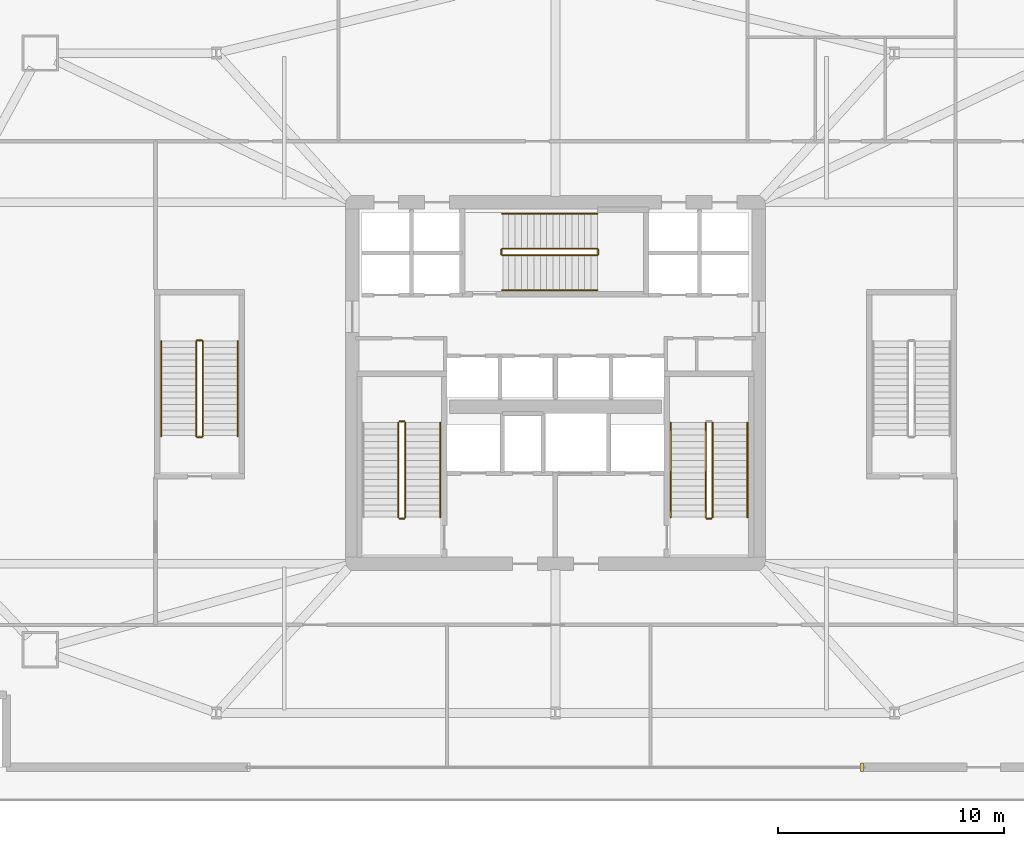
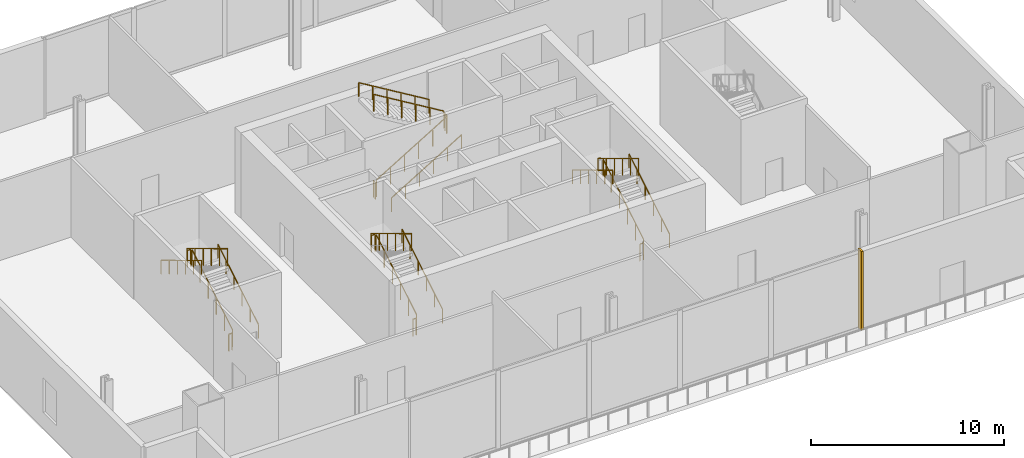
# One storey, part 14 of 16: 22 railings, 1 covering.
"""IFC4 building model written with IfcOpenShell, lengths in metres."""

import ifcopenshell
import ifcopenshell.guid

model = None  # the IFC model being written
_history = None  # IfcOwnerHistory: only IFC2X3 demands one
_inside = {}  # id of a spatial element -> (the spatial element, [elements in it])
_under = {}  # id of a project, library or spatial element -> (it, [spatial elements below it])
_declared = {}  # id of a project -> (the project, [libraries it declares])
_typed = {}  # id of a type object -> (the type object, [elements of that type])
_made_of = {}  # id of a material, layer set ... -> (it, [elements and type objects made of it])


def new_model(schema):
    """Start an empty IFC model of exactly this schema.

    Asked for "IFC4X3", IfcOpenShell would pick the latest addendum, in which some entities
    have other attributes; the version numbers below select the first issue.
    IFC2X3 requires an IfcOwnerHistory on every rooted entity: one is made here for all.
    """
    global model, _history
    if schema == "IFC4X3":
        model = ifcopenshell.file(schema_version=(4, 3, 0, 0))
    else:
        model = ifcopenshell.file(schema=schema)
    _inside.clear()
    _under.clear()
    _declared.clear()
    _typed.clear()
    _made_of.clear()
    _history = None
    if model.schema == "IFC2X3":
        org = make("IfcOrganization", Name="unknown")
        user = make(
            "IfcPersonAndOrganization",
            ThePerson=make("IfcPerson", FamilyName="unknown"),
            TheOrganization=org,
        )
        app = make(
            "IfcApplication",
            ApplicationDeveloper=org,
            Version="unknown",
            ApplicationFullName="unknown",
            ApplicationIdentifier="unknown",
        )
        _history = make(
            "IfcOwnerHistory",
            OwningUser=user,
            OwningApplication=app,
            ChangeAction="ADDED",
            CreationDate=0,
        )
    return model


def make(cls, **values):
    """One entity of the class cls with the attributes given. An attribute that is None is left unset."""
    return model.create_entity(
        cls, **{name: value for name, value in values.items() if value is not None}
    )


def rooted(cls, **values):
    """An entity with a GlobalId (a new one), such as an element, a storey or a relation."""
    return make(cls, GlobalId=ifcopenshell.guid.new(), OwnerHistory=_history, **values)


def si_unit(unit_type, name, prefix=None):
    """IfcSIUnit, for example si_unit("LENGTHUNIT", "METRE", prefix="MILLI")."""
    return make("IfcSIUnit", UnitType=unit_type, Prefix=prefix, Name=name)


def assignment(units):
    """IfcUnitAssignment: the units of a project."""
    return None if units is None else make("IfcUnitAssignment", Units=units)


def point(xyz):
    """IfcCartesianPoint."""
    return None if xyz is None else make("IfcCartesianPoint", Coordinates=xyz)


def direction(xyz):
    """IfcDirection."""
    return None if xyz is None else make("IfcDirection", DirectionRatios=xyz)


def frame(location, z_axis=None, x_axis=None):
    """IfcAxis2Placement3D, a coordinate frame: its origin and axes. An axis left out is left unset."""
    return make(
        "IfcAxis2Placement3D",
        Location=point(location),
        Axis=direction(z_axis),
        RefDirection=direction(x_axis),
    )


def frame_2d(location, x_axis=None):
    """IfcAxis2Placement2D, a coordinate frame in the plane: its origin and x axis."""
    return make(
        "IfcAxis2Placement2D", Location=point(location), RefDirection=direction(x_axis)
    )


def origin():
    """The frame at (0, 0, 0) with its axes left unset."""
    return frame((0.0, 0.0, 0.0))


def origin_2d():
    """The frame at (0, 0) in the plane with its x axis left unset."""
    return frame_2d((0.0, 0.0))


def place(relative_to, where):
    """IfcLocalPlacement: puts the frame where relative to a parent placement (None: the world)."""
    return make(
        "IfcLocalPlacement", PlacementRelTo=relative_to, RelativePlacement=where
    )


def context(
    kind, dimensions, precision=None, world=None, true_north=None, identifier=None
):
    """IfcGeometricRepresentationContext, for example the 3D "Model" context."""
    return make(
        "IfcGeometricRepresentationContext",
        ContextIdentifier=identifier,
        ContextType=kind,
        CoordinateSpaceDimension=dimensions,
        Precision=precision,
        WorldCoordinateSystem=world,
        TrueNorth=true_north,
    )


def subcontext(parent, identifier, kind, view, scale=None):
    """IfcGeometricRepresentationSubContext, for example "Body" below "Model"."""
    return make(
        "IfcGeometricRepresentationSubContext",
        ContextIdentifier=identifier,
        ContextType=kind,
        ParentContext=parent,
        TargetScale=scale,
        TargetView=view,
    )


def project(units=None, contexts=None):
    """IfcProject with its units and contexts."""
    return rooted(
        "IfcProject",
        Name="project",
        RepresentationContexts=contexts,
        UnitsInContext=assignment(units),
    )


def spatial(cls, under=None, at=None, **own):
    """A site, building, storey or space (cls), placed at a placement, below another one or the project."""
    s = rooted(cls, ObjectPlacement=at, **own)
    if under is not None:
        _under.setdefault(under.id(), (under, []))[1].append(s)
    return s


def profile(cls, at=None, kind="AREA", **sizes):
    """A parametric profile (cls). Its sizes go by their IFC names, for example OverallWidth=200.0."""
    return make(cls, ProfileType=kind, Position=at, **sizes)


def rectangle(**sizes):
    """IfcRectangleProfileDef."""
    return profile("IfcRectangleProfileDef", **sizes)


def extrude(swept, where, along, depth):
    """IfcExtrudedAreaSolid: the profile swept, set in the frame where, extruded along a direction by depth."""
    return make(
        "IfcExtrudedAreaSolid",
        SweptArea=swept,
        Position=where,
        ExtrudedDirection=direction(along),
        Depth=depth,
    )


def shape(context_of_items, identifier, shape_type, items):
    """IfcShapeRepresentation: the items that make up one representation, for example the "Body"."""
    return make(
        "IfcShapeRepresentation",
        ContextOfItems=context_of_items,
        RepresentationIdentifier=identifier,
        RepresentationType=shape_type,
        Items=items,
    )


def source(mapping_origin, context_of_items, identifier, shape_type, items):
    """IfcRepresentationMap: a shape defined once, which mapped items show again and again."""
    return make(
        "IfcRepresentationMap",
        MappingOrigin=mapping_origin,
        MappedRepresentation=shape(context_of_items, identifier, shape_type, items),
    )


def transform(
    local_origin,
    x_axis=None,
    y_axis=None,
    z_axis=None,
    scale=None,
    scale2=None,
    scale3=None,
    uniform=True,
):
    """IfcCartesianTransformationOperator3D, or its non-uniform kind. x_axis, y_axis, z_axis: its Axis1, 2, 3."""
    if uniform:
        return make(
            "IfcCartesianTransformationOperator3D",
            Axis1=direction(x_axis),
            Axis2=direction(y_axis),
            LocalOrigin=point(local_origin),
            Scale=scale,
            Axis3=direction(z_axis),
        )
    return make(
        "IfcCartesianTransformationOperator3DnonUniform",
        Axis1=direction(x_axis),
        Axis2=direction(y_axis),
        LocalOrigin=point(local_origin),
        Scale=scale,
        Axis3=direction(z_axis),
        Scale2=scale2,
        Scale3=scale3,
    )


def mapped(mapping_source, mapping_target):
    """IfcMappedItem: shows the shape of a source again, moved by a transform."""
    return make(
        "IfcMappedItem", MappingSource=mapping_source, MappingTarget=mapping_target
    )


def material(Name=None, Category=None):
    """IfcMaterial."""
    return make("IfcMaterial", Name=Name, Category=Category)


def layer(
    of_material, thickness, ventilated=None, Name=None, Category=None, Priority=None
):
    """IfcMaterialLayer: one layer of a wall or slab, of a material (None: an air gap)."""
    return make(
        "IfcMaterialLayer",
        Material=of_material,
        LayerThickness=thickness,
        IsVentilated=ventilated,
        Name=Name,
        Category=Category,
        Priority=Priority,
    )


def layer_set(layers, Name=None):
    """IfcMaterialLayerSet."""
    return make("IfcMaterialLayerSet", MaterialLayers=layers, LayerSetName=Name)


def made_of(thing, what):
    """Note that an element or type object is made of a material, layer set ...; save() writes the relation."""
    if what is not None:
        _made_of.setdefault(what.id(), (what, []))[1].append(thing)
    return thing


def type_object(cls, material=None, **own):
    """A type object (cls), such as IfcWallType, which elements share."""
    return made_of(rooted(cls, **own), material)


def element(
    cls,
    number,
    at=None,
    inside=None,
    cuts=None,
    type_object=None,
    material=None,
    context=None,
    identifier="Body",
    shape_type=None,
    held_by="IfcProductDefinitionShape",
    body=None,
    shapes=None,
    **own,
):
    """One element of the class cls, such as IfcWall. Its Tag is "e" and its number.

    at: its placement. inside: the storey or other place that contains it. cuts: it is an
    opening in that element (IfcRelVoidsElement). A single representation is given by context,
    identifier, shape_type and body (its items); several are given by shapes. held_by: the class
    of the entity that holds the representations. save() writes the other relations.
    """
    e = rooted(cls, Tag="e%d" % number, ObjectPlacement=at, **own)
    if body is not None:
        shapes = [shape(context, identifier, shape_type, body)]
    if shapes is not None:
        e.Representation = make(held_by, Representations=shapes)
    if inside is not None:
        _inside.setdefault(inside.id(), (inside, []))[1].append(e)
    if cuts is not None:
        rooted(
            "IfcRelVoidsElement", RelatingBuildingElement=cuts, RelatedOpeningElement=e
        )
    if type_object is not None:
        _typed.setdefault(type_object.id(), (type_object, []))[1].append(e)
    return made_of(e, material)


def aggregate(whole, parts):
    """IfcRelAggregates: a whole, such as a stair, and the parts it consists of."""
    return rooted("IfcRelAggregates", RelatingObject=whole, RelatedObjects=parts)


def save(model, path):
    """Write the relations noted so far, then the file.

    IfcRelAggregates (storeys below a building ...), IfcRelContainedInSpatialStructure (elements
    in a storey), IfcRelDefinesByType, IfcRelAssociatesMaterial and IfcRelDeclares: one each for
    every whole, place, type object, material and project.
    """
    for whole, parts in _under.values():
        aggregate(whole, parts)
    for where, things in _inside.values():
        rooted(
            "IfcRelContainedInSpatialStructure",
            RelatedElements=things,
            RelatingStructure=where,
        )
    for kind, things in _typed.values():
        rooted("IfcRelDefinesByType", RelatedObjects=things, RelatingType=kind)
    for what, things in _made_of.values():
        rooted("IfcRelAssociatesMaterial", RelatedObjects=things, RelatingMaterial=what)
    for by, libraries in _declared.values():
        rooted("IfcRelDeclares", RelatingContext=by, RelatedDefinitions=libraries)
    model.write(path)


model = new_model("IFC4")

# Units and contexts
model_context = context("Model", 3, precision=1e-05, world=origin(), true_north=direction((0.0, 1.0)))
body_context = subcontext(model_context, "Body", "Model", "MODEL_VIEW")
ifc_project = project(units=[si_unit("LENGTHUNIT", "METRE"), si_unit("AREAUNIT", "SQUARE_METRE"), si_unit("VOLUMEUNIT", "CUBIC_METRE"), si_unit("PLANEANGLEUNIT", "RADIAN"), si_unit("MASSUNIT", "GRAM", prefix="KILO")], contexts=[model_context])

# Site, building, storey
site_placement = place(None, origin())
site = spatial("IfcSite", under=ifc_project, at=site_placement, CompositionType="ELEMENT")
building_placement = place(site_placement, origin())
building = spatial("IfcBuilding", under=site, at=building_placement, Name="Haldenkirk Collegiate Tower", CompositionType="ELEMENT")
storey_placement = place(building_placement, frame((0.0, 0.0, 16.800048828125)))
storey = spatial("IfcBuildingStorey", under=building, at=storey_placement, Name="L03", CompositionType="ELEMENT", Elevation=16.800048828125)

# Railings
ifc_material_1 = material(Name="Painted architectural tubular steel", Category="steel")
railing_type_1 = type_object("IfcRailingType", Name="RLG-STAIR-GUARD-1100", PredefinedType="BALUSTRADE", material=ifc_material_1)
railing_1_placement = place(storey_placement, frame((29.35009765625, 20.050048828125, 0.168701171875)))
element("IfcRailing", 1, at=railing_1_placement, inside=storey, type_object=railing_type_1, Name="L03 ST-1 stair guard 1", PredefinedType="BALUSTRADE", context=body_context, shape_type="SweptSolid", body=[
    extrude(rectangle(XDim=0.048095703125, YDim=0.048095703125, at=origin_2d()), frame((0.0, 0.0, 1.076171875), z_axis=(0.0, 0.856476492594, 0.516186030065), x_axis=(-1.0, 0.0, 0.0)), (0.0, 0.0, 1.0), 4.90380859375),
    extrude(rectangle(XDim=0.0419921875, YDim=0.0419921875, at=origin_2d()), origin(), (0.0, 0.0, 1.0), 1.052001953125),
    extrude(rectangle(XDim=0.0419921875, YDim=0.0419921875, at=origin_2d()), frame((0.0, 0.840087890625, 0.50634765625)), (0.0, 0.0, 1.0), 1.052001953125),
    extrude(rectangle(XDim=0.0419921875, YDim=0.0419921875, at=origin_2d()), frame((0.0, 1.679931640625, 1.012451171875)), (0.0, 0.0, 1.0), 1.052001953125),
    extrude(rectangle(XDim=0.0419921875, YDim=0.0419921875, at=origin_2d()), frame((0.0, 2.52001953125, 1.518798828125)), (0.0, 0.0, 1.0), 1.052001953125),
    extrude(rectangle(XDim=0.0419921875, YDim=0.0419921875, at=origin_2d()), frame((0.0, 3.35986328125, 2.02490234375)), (0.0, 0.0, 1.0), 1.052001953125),
    extrude(rectangle(XDim=0.0419921875, YDim=0.0419921875, at=origin_2d()), frame((0.0, 4.199951171875, 2.53125)), (0.0, 0.0, 1.0), 1.052001953125),
])
railing_2_placement = place(storey_placement, frame((29.300048828125, 24.300048828125, 2.699951171875)))
element("IfcRailing", 2, at=railing_2_placement, inside=storey, type_object=railing_type_1, Name="L03 ST-1 stair guard 2", PredefinedType="BALUSTRADE", context=body_context, shape_type="SweptSolid", body=[
    extrude(rectangle(XDim=0.048095703125, YDim=0.048095703125, at=origin_2d()), frame((0.0, 0.0, 1.076171875), z_axis=(-1.0, 0.0, 0.0), x_axis=(0.0, -1.0, 0.0)), (0.0, 0.0, 1.0), 0.199951171875),
    extrude(rectangle(XDim=0.0419921875, YDim=0.0419921875, at=origin_2d()), origin(), (0.0, 0.0, 1.0), 1.052001953125),
    extrude(rectangle(XDim=0.0419921875, YDim=0.0419921875, at=origin_2d()), frame((-0.199951171875, 0.0, 0.0)), (0.0, 0.0, 1.0), 1.052001953125),
])
railing_3_placement = place(storey_placement, frame((29.050048828125, 24.25, 2.86865234375)))
element("IfcRailing", 3, at=railing_3_placement, inside=storey, type_object=railing_type_1, Name="L03 ST-1 stair guard 3", PredefinedType="BALUSTRADE", context=body_context, shape_type="SweptSolid", body=[
    extrude(rectangle(XDim=0.048095703125, YDim=0.048095703125, at=origin_2d()), frame((0.0, 0.0, 1.076171875), z_axis=(0.0, -0.856476492594, 0.516186030065), x_axis=(1.0, 0.0, 0.0)), (0.0, 0.0, 1.0), 4.90380859375),
    extrude(rectangle(XDim=0.0419921875, YDim=0.0419921875, at=origin_2d()), origin(), (0.0, 0.0, 1.0), 1.052001953125),
    extrude(rectangle(XDim=0.0419921875, YDim=0.0419921875, at=origin_2d()), frame((0.0, -0.840087890625, 0.50634765625)), (0.0, 0.0, 1.0), 1.052001953125),
    extrude(rectangle(XDim=0.0419921875, YDim=0.0419921875, at=origin_2d()), frame((0.0, -1.679931640625, 1.012451171875)), (0.0, 0.0, 1.0), 1.052001953125),
    extrude(rectangle(XDim=0.0419921875, YDim=0.0419921875, at=origin_2d()), frame((0.0, -2.52001953125, 1.518798828125)), (0.0, 0.0, 1.0), 1.052001953125),
    extrude(rectangle(XDim=0.0419921875, YDim=0.0419921875, at=origin_2d()), frame((0.0, -3.35986328125, 2.02490234375)), (0.0, 0.0, 1.0), 1.052001953125),
    extrude(rectangle(XDim=0.0419921875, YDim=0.0419921875, at=origin_2d()), frame((0.0, -4.199951171875, 2.53125)), (0.0, 0.0, 1.0), 1.052001953125),
])
railing_4_placement = place(storey_placement, frame((29.300048828125, 20.0, 0.0)))
element("IfcRailing", 4, at=railing_4_placement, inside=storey, type_object=railing_type_1, Name="L03 ST-1 stair guard 4", PredefinedType="BALUSTRADE", context=body_context, shape_type="SweptSolid", body=[
    extrude(rectangle(XDim=0.048095703125, YDim=0.048095703125, at=origin_2d()), frame((0.0, 0.0, 1.076171875), z_axis=(-1.0, 0.0, 0.0), x_axis=(0.0, -1.0, 0.0)), (0.0, 0.0, 1.0), 0.199951171875),
    extrude(rectangle(XDim=0.0419921875, YDim=0.0419921875, at=origin_2d()), origin(), (0.0, 0.0, 1.0), 1.052001953125),
    extrude(rectangle(XDim=0.0419921875, YDim=0.0419921875, at=origin_2d()), frame((-0.199951171875, 0.0, 0.0)), (0.0, 0.0, 1.0), 1.052001953125),
])
railing_5_placement = place(storey_placement, frame((42.949951171875, 20.050048828125, 0.168701171875)))
element("IfcRailing", 5, at=railing_5_placement, inside=storey, type_object=railing_type_1, Name="L03 ST-2 stair guard 1", PredefinedType="BALUSTRADE", context=body_context, shape_type="SweptSolid", body=[
    extrude(rectangle(XDim=0.048095703125, YDim=0.048095703125, at=origin_2d()), frame((0.0, 0.0, 1.076171875), z_axis=(0.0, 0.856476492594, 0.516186030065), x_axis=(-1.0, 0.0, 0.0)), (0.0, 0.0, 1.0), 4.90380859375),
    extrude(rectangle(XDim=0.0419921875, YDim=0.0419921875, at=origin_2d()), origin(), (0.0, 0.0, 1.0), 1.052001953125),
    extrude(rectangle(XDim=0.0419921875, YDim=0.0419921875, at=origin_2d()), frame((0.0, 0.840087890625, 0.50634765625)), (0.0, 0.0, 1.0), 1.052001953125),
    extrude(rectangle(XDim=0.0419921875, YDim=0.0419921875, at=origin_2d()), frame((0.0, 1.679931640625, 1.012451171875)), (0.0, 0.0, 1.0), 1.052001953125),
    extrude(rectangle(XDim=0.0419921875, YDim=0.0419921875, at=origin_2d()), frame((0.0, 2.52001953125, 1.518798828125)), (0.0, 0.0, 1.0), 1.052001953125),
    extrude(rectangle(XDim=0.0419921875, YDim=0.0419921875, at=origin_2d()), frame((0.0, 3.35986328125, 2.02490234375)), (0.0, 0.0, 1.0), 1.052001953125),
    extrude(rectangle(XDim=0.0419921875, YDim=0.0419921875, at=origin_2d()), frame((0.0, 4.199951171875, 2.53125)), (0.0, 0.0, 1.0), 1.052001953125),
])
railing_6_placement = place(storey_placement, frame((42.64990234375, 24.25, 2.86865234375)))
element("IfcRailing", 6, at=railing_6_placement, inside=storey, type_object=railing_type_1, Name="L03 ST-2 stair guard 3", PredefinedType="BALUSTRADE", context=body_context, shape_type="SweptSolid", body=[
    extrude(rectangle(XDim=0.048095703125, YDim=0.048095703125, at=origin_2d()), frame((0.0, 0.0, 1.076171875), z_axis=(0.0, -0.856476492594, 0.516186030065), x_axis=(1.0, 0.0, 0.0)), (0.0, 0.0, 1.0), 4.90380859375),
    extrude(rectangle(XDim=0.0419921875, YDim=0.0419921875, at=origin_2d()), origin(), (0.0, 0.0, 1.0), 1.052001953125),
    extrude(rectangle(XDim=0.0419921875, YDim=0.0419921875, at=origin_2d()), frame((0.0, -0.840087890625, 0.50634765625)), (0.0, 0.0, 1.0), 1.052001953125),
    extrude(rectangle(XDim=0.0419921875, YDim=0.0419921875, at=origin_2d()), frame((0.0, -1.679931640625, 1.012451171875)), (0.0, 0.0, 1.0), 1.052001953125),
    extrude(rectangle(XDim=0.0419921875, YDim=0.0419921875, at=origin_2d()), frame((0.0, -2.52001953125, 1.518798828125)), (0.0, 0.0, 1.0), 1.052001953125),
    extrude(rectangle(XDim=0.0419921875, YDim=0.0419921875, at=origin_2d()), frame((0.0, -3.35986328125, 2.02490234375)), (0.0, 0.0, 1.0), 1.052001953125),
    extrude(rectangle(XDim=0.0419921875, YDim=0.0419921875, at=origin_2d()), frame((0.0, -4.199951171875, 2.53125)), (0.0, 0.0, 1.0), 1.052001953125),
])
railing_7_placement = place(storey_placement, frame((42.89990234375, 20.0, 0.0)))
element("IfcRailing", 7, at=railing_7_placement, inside=storey, type_object=railing_type_1, Name="L03 ST-2 stair guard 4", PredefinedType="BALUSTRADE", context=body_context, shape_type="SweptSolid", body=[
    extrude(rectangle(XDim=0.048095703125, YDim=0.048095703125, at=origin_2d()), frame((0.0, 0.0, 1.076171875), z_axis=(-1.0, 0.0, 0.0), x_axis=(0.0, -1.0, 0.0)), (0.0, 0.0, 1.0), 0.199951171875),
    extrude(rectangle(XDim=0.0419921875, YDim=0.0419921875, at=origin_2d()), origin(), (0.0, 0.0, 1.0), 1.052001953125),
    extrude(rectangle(XDim=0.0419921875, YDim=0.0419921875, at=origin_2d()), frame((-0.199951171875, 0.0, 0.0)), (0.0, 0.0, 1.0), 1.052001953125),
])
railing_8_placement = place(storey_placement, frame((33.64990234375, 31.64990234375, 0.168701171875)))
element("IfcRailing", 8, at=railing_8_placement, inside=storey, type_object=railing_type_1, Name="L03 ST-3 stair guard 1", PredefinedType="BALUSTRADE", context=body_context, shape_type="SweptSolid", body=[
    extrude(rectangle(XDim=0.048095703125, YDim=0.048095703125, at=origin_2d()), frame((0.0, 0.0, 1.076171875), z_axis=(0.856489757249, 0.0, 0.516164020179), x_axis=(0.0, 1.0, 0.0)), (0.0, 0.0, 1.0), 4.904052734375),
    extrude(rectangle(XDim=0.0419921875, YDim=0.0419921875, at=origin_2d()), origin(), (0.0, 0.0, 1.0), 1.052001953125),
    extrude(rectangle(XDim=0.0419921875, YDim=0.0419921875, at=origin_2d()), frame((0.840087890625, 0.0, 0.50634765625)), (0.0, 0.0, 1.0), 1.052001953125),
    extrude(rectangle(XDim=0.0419921875, YDim=0.0419921875, at=origin_2d()), frame((1.68017578125, 0.0, 1.012451171875)), (0.0, 0.0, 1.0), 1.052001953125),
    extrude(rectangle(XDim=0.0419921875, YDim=0.0419921875, at=origin_2d()), frame((2.52001953125, 0.0, 1.518798828125)), (0.0, 0.0, 1.0), 1.052001953125),
    extrude(rectangle(XDim=0.0419921875, YDim=0.0419921875, at=origin_2d()), frame((3.360107421875, 0.0, 2.02490234375)), (0.0, 0.0, 1.0), 1.052001953125),
    extrude(rectangle(XDim=0.0419921875, YDim=0.0419921875, at=origin_2d()), frame((4.2001953125, 0.0, 2.53125)), (0.0, 0.0, 1.0), 1.052001953125),
])
railing_9_placement = place(storey_placement, frame((37.89990234375, 31.699951171875, 2.699951171875)))
element("IfcRailing", 9, at=railing_9_placement, inside=storey, type_object=railing_type_1, Name="L03 ST-3 stair guard 2", PredefinedType="BALUSTRADE", context=body_context, shape_type="SweptSolid", body=[
    extrude(rectangle(XDim=0.048095703125, YDim=0.048095703125, at=origin_2d()), frame((0.0, 0.0, 1.076171875), z_axis=(0.0, 1.0, 0.0), x_axis=(-1.0, 0.0, 0.0)), (0.0, 0.0, 1.0), 0.199951171875),
    extrude(rectangle(XDim=0.0419921875, YDim=0.0419921875, at=origin_2d()), origin(), (0.0, 0.0, 1.0), 1.052001953125),
    extrude(rectangle(XDim=0.0419921875, YDim=0.0419921875, at=origin_2d()), frame((0.0, 0.199951171875, 0.0)), (0.0, 0.0, 1.0), 1.052001953125),
])
railing_10_placement = place(storey_placement, frame((37.85009765625, 31.949951171875, 2.86865234375)))
element("IfcRailing", 10, at=railing_10_placement, inside=storey, type_object=railing_type_1, Name="L03 ST-3 stair guard 3", PredefinedType="BALUSTRADE", context=body_context, shape_type="SweptSolid", body=[
    extrude(rectangle(XDim=0.048095703125, YDim=0.048095703125, at=origin_2d()), frame((0.0, 0.0, 1.076171875), z_axis=(-0.856489757249, 0.0, 0.516164020179), x_axis=(0.0, -1.0, 0.0)), (0.0, 0.0, 1.0), 4.904052734375),
    extrude(rectangle(XDim=0.0419921875, YDim=0.0419921875, at=origin_2d()), origin(), (0.0, 0.0, 1.0), 1.052001953125),
    extrude(rectangle(XDim=0.0419921875, YDim=0.0419921875, at=origin_2d()), frame((-0.840087890625, 0.0, 0.50634765625)), (0.0, 0.0, 1.0), 1.052001953125),
    extrude(rectangle(XDim=0.0419921875, YDim=0.0419921875, at=origin_2d()), frame((-1.68017578125, 0.0, 1.012451171875)), (0.0, 0.0, 1.0), 1.052001953125),
    extrude(rectangle(XDim=0.0419921875, YDim=0.0419921875, at=origin_2d()), frame((-2.52001953125, 0.0, 1.518798828125)), (0.0, 0.0, 1.0), 1.052001953125),
    extrude(rectangle(XDim=0.0419921875, YDim=0.0419921875, at=origin_2d()), frame((-3.360107421875, 0.0, 2.02490234375)), (0.0, 0.0, 1.0), 1.052001953125),
    extrude(rectangle(XDim=0.0419921875, YDim=0.0419921875, at=origin_2d()), frame((-4.2001953125, 0.0, 2.53125)), (0.0, 0.0, 1.0), 1.052001953125),
])
railing_11_placement = place(storey_placement, frame((33.60009765625, 31.699951171875, 0.0)))
element("IfcRailing", 11, at=railing_11_placement, inside=storey, type_object=railing_type_1, Name="L03 ST-3 stair guard 4", PredefinedType="BALUSTRADE", context=body_context, shape_type="SweptSolid", body=[
    extrude(rectangle(XDim=0.048095703125, YDim=0.048095703125, at=origin_2d()), frame((0.0, 0.0, 1.076171875), z_axis=(0.0, 1.0, 0.0), x_axis=(-1.0, 0.0, 0.0)), (0.0, 0.0, 1.0), 0.199951171875),
    extrude(rectangle(XDim=0.0419921875, YDim=0.0419921875, at=origin_2d()), origin(), (0.0, 0.0, 1.0), 1.052001953125),
    extrude(rectangle(XDim=0.0419921875, YDim=0.0419921875, at=origin_2d()), frame((0.0, 0.199951171875, 0.0)), (0.0, 0.0, 1.0), 1.052001953125),
])
railing_12_placement = place(storey_placement, frame((20.39990234375, 23.64990234375, 0.168701171875)))
element("IfcRailing", 12, at=railing_12_placement, inside=storey, type_object=railing_type_1, Name="L03 ST-4 stair guard 1", PredefinedType="BALUSTRADE", context=body_context, shape_type="SweptSolid", body=[
    extrude(rectangle(XDim=0.048095703125, YDim=0.048095703125, at=origin_2d()), frame((0.0, 0.0, 1.076171875), z_axis=(0.0, 0.856489757249, 0.516164020179), x_axis=(-1.0, 0.0, 0.0)), (0.0, 0.0, 1.0), 4.904052734375),
    extrude(rectangle(XDim=0.0419921875, YDim=0.0419921875, at=origin_2d()), origin(), (0.0, 0.0, 1.0), 1.052001953125),
    extrude(rectangle(XDim=0.0419921875, YDim=0.0419921875, at=origin_2d()), frame((0.0, 0.840087890625, 0.50634765625)), (0.0, 0.0, 1.0), 1.052001953125),
    extrude(rectangle(XDim=0.0419921875, YDim=0.0419921875, at=origin_2d()), frame((0.0, 1.68017578125, 1.012451171875)), (0.0, 0.0, 1.0), 1.052001953125),
    extrude(rectangle(XDim=0.0419921875, YDim=0.0419921875, at=origin_2d()), frame((0.0, 2.52001953125, 1.518798828125)), (0.0, 0.0, 1.0), 1.052001953125),
    extrude(rectangle(XDim=0.0419921875, YDim=0.0419921875, at=origin_2d()), frame((0.0, 3.360107421875, 2.02490234375)), (0.0, 0.0, 1.0), 1.052001953125),
    extrude(rectangle(XDim=0.0419921875, YDim=0.0419921875, at=origin_2d()), frame((0.0, 4.2001953125, 2.53125)), (0.0, 0.0, 1.0), 1.052001953125),
])
railing_13_placement = place(storey_placement, frame((20.35009765625, 27.89990234375, 2.699951171875)))
element("IfcRailing", 13, at=railing_13_placement, inside=storey, type_object=railing_type_1, Name="L03 ST-4 stair guard 2", PredefinedType="BALUSTRADE", context=body_context, shape_type="SweptSolid", body=[
    extrude(rectangle(XDim=0.048095703125, YDim=0.048095703125, at=origin_2d()), frame((0.0, 0.0, 1.076171875), z_axis=(-1.0, 0.0, 0.0), x_axis=(0.0, -1.0, 0.0)), (0.0, 0.0, 1.0), 0.2001953125),
    extrude(rectangle(XDim=0.0419921875, YDim=0.0419921875, at=origin_2d()), origin(), (0.0, 0.0, 1.0), 1.052001953125),
    extrude(rectangle(XDim=0.0419921875, YDim=0.0419921875, at=origin_2d()), frame((-0.2001953125, 0.0, 0.0)), (0.0, 0.0, 1.0), 1.052001953125),
])
railing_14_placement = place(storey_placement, frame((20.10009765625, 27.85009765625, 2.86865234375)))
element("IfcRailing", 14, at=railing_14_placement, inside=storey, type_object=railing_type_1, Name="L03 ST-4 stair guard 3", PredefinedType="BALUSTRADE", context=body_context, shape_type="SweptSolid", body=[
    extrude(rectangle(XDim=0.048095703125, YDim=0.048095703125, at=origin_2d()), frame((0.0, 0.0, 1.076171875), z_axis=(0.0, -0.856489757249, 0.516164020179), x_axis=(1.0, 0.0, 0.0)), (0.0, 0.0, 1.0), 4.904052734375),
    extrude(rectangle(XDim=0.0419921875, YDim=0.0419921875, at=origin_2d()), origin(), (0.0, 0.0, 1.0), 1.052001953125),
    extrude(rectangle(XDim=0.0419921875, YDim=0.0419921875, at=origin_2d()), frame((0.0, -0.840087890625, 0.50634765625)), (0.0, 0.0, 1.0), 1.052001953125),
    extrude(rectangle(XDim=0.0419921875, YDim=0.0419921875, at=origin_2d()), frame((0.0, -1.68017578125, 1.012451171875)), (0.0, 0.0, 1.0), 1.052001953125),
    extrude(rectangle(XDim=0.0419921875, YDim=0.0419921875, at=origin_2d()), frame((0.0, -2.52001953125, 1.518798828125)), (0.0, 0.0, 1.0), 1.052001953125),
    extrude(rectangle(XDim=0.0419921875, YDim=0.0419921875, at=origin_2d()), frame((0.0, -3.360107421875, 2.02490234375)), (0.0, 0.0, 1.0), 1.052001953125),
    extrude(rectangle(XDim=0.0419921875, YDim=0.0419921875, at=origin_2d()), frame((0.0, -4.2001953125, 2.53125)), (0.0, 0.0, 1.0), 1.052001953125),
])
railing_15_placement = place(storey_placement, frame((20.35009765625, 23.60009765625, 0.0)))
element("IfcRailing", 15, at=railing_15_placement, inside=storey, type_object=railing_type_1, Name="L03 ST-4 stair guard 4", PredefinedType="BALUSTRADE", context=body_context, shape_type="SweptSolid", body=[
    extrude(rectangle(XDim=0.048095703125, YDim=0.048095703125, at=origin_2d()), frame((0.0, 0.0, 1.076171875), z_axis=(-1.0, 0.0, 0.0), x_axis=(0.0, -1.0, 0.0)), (0.0, 0.0, 1.0), 0.2001953125),
    extrude(rectangle(XDim=0.0419921875, YDim=0.0419921875, at=origin_2d()), origin(), (0.0, 0.0, 1.0), 1.052001953125),
    extrude(rectangle(XDim=0.0419921875, YDim=0.0419921875, at=origin_2d()), frame((-0.2001953125, 0.0, 0.0)), (0.0, 0.0, 1.0), 1.052001953125),
])
railing_type_2 = type_object("IfcRailingType", Name="RLG-STAIR-HANDRAIL-900", PredefinedType="HANDRAIL", material=ifc_material_1)
for number, where, name in (
    (16, (30.89990234375, 20.050048828125, 0.168701171875), "L03 ST-1 stair handrail 1"),
    (17, (44.5, 20.050048828125, 0.168701171875), "L03 ST-2 stair handrail 1"),
):
    element("IfcRailing", number, at=place(storey_placement, frame(where)), inside=storey, type_object=railing_type_2, Name=name, PredefinedType="HANDRAIL", context=body_context, shape_type="SweptSolid", body=[
        extrude(rectangle(XDim=0.048095703125, YDim=0.048095703125, at=origin_2d()), frame((0.0, 0.0, 0.8759765625), z_axis=(0.0, 0.856476492594, 0.516186030065), x_axis=(-1.0, 0.0, 0.0)), (0.0, 0.0, 1.0), 4.90380859375),
        extrude(rectangle(XDim=0.0419921875, YDim=0.0419921875, at=origin_2d()), origin(), (0.0, 0.0, 1.0), 0.851806640625),
        extrude(rectangle(XDim=0.0419921875, YDim=0.0419921875, at=origin_2d()), frame((0.0, 0.840087890625, 0.50634765625)), (0.0, 0.0, 1.0), 0.851806640625),
        extrude(rectangle(XDim=0.0419921875, YDim=0.0419921875, at=origin_2d()), frame((0.0, 1.679931640625, 1.012451171875)), (0.0, 0.0, 1.0), 0.851806640625),
        extrude(rectangle(XDim=0.0419921875, YDim=0.0419921875, at=origin_2d()), frame((0.0, 2.52001953125, 1.518798828125)), (0.0, 0.0, 1.0), 0.851806640625),
        extrude(rectangle(XDim=0.0419921875, YDim=0.0419921875, at=origin_2d()), frame((0.0, 3.35986328125, 2.02490234375)), (0.0, 0.0, 1.0), 0.851806640625),
        extrude(rectangle(XDim=0.0419921875, YDim=0.0419921875, at=origin_2d()), frame((0.0, 4.199951171875, 2.53125)), (0.0, 0.0, 1.0), 0.851806640625),
    ])
railing_16_placement = place(storey_placement, frame((41.10009765625, 24.25, 2.86865234375)))
element("IfcRailing", 18, at=railing_16_placement, inside=storey, type_object=railing_type_2, Name="L03 ST-2 stair handrail 2", PredefinedType="HANDRAIL", context=body_context, shape_type="SweptSolid", body=[
    extrude(rectangle(XDim=0.048095703125, YDim=0.048095703125, at=origin_2d()), frame((0.0, 0.0, 0.8759765625), z_axis=(0.0, -0.856476492594, 0.516186030065), x_axis=(1.0, 0.0, 0.0)), (0.0, 0.0, 1.0), 4.90380859375),
    extrude(rectangle(XDim=0.0419921875, YDim=0.0419921875, at=origin_2d()), origin(), (0.0, 0.0, 1.0), 0.851806640625),
    extrude(rectangle(XDim=0.0419921875, YDim=0.0419921875, at=origin_2d()), frame((0.0, -0.840087890625, 0.50634765625)), (0.0, 0.0, 1.0), 0.851806640625),
    extrude(rectangle(XDim=0.0419921875, YDim=0.0419921875, at=origin_2d()), frame((0.0, -1.679931640625, 1.012451171875)), (0.0, 0.0, 1.0), 0.851806640625),
    extrude(rectangle(XDim=0.0419921875, YDim=0.0419921875, at=origin_2d()), frame((0.0, -2.52001953125, 1.518798828125)), (0.0, 0.0, 1.0), 0.851806640625),
    extrude(rectangle(XDim=0.0419921875, YDim=0.0419921875, at=origin_2d()), frame((0.0, -3.35986328125, 2.02490234375)), (0.0, 0.0, 1.0), 0.851806640625),
    extrude(rectangle(XDim=0.0419921875, YDim=0.0419921875, at=origin_2d()), frame((0.0, -4.199951171875, 2.53125)), (0.0, 0.0, 1.0), 0.851806640625),
])
railing_17_placement = place(storey_placement, frame((33.64990234375, 30.10009765625, 0.168701171875)))
element("IfcRailing", 19, at=railing_17_placement, inside=storey, type_object=railing_type_2, Name="L03 ST-3 stair handrail 1", PredefinedType="HANDRAIL", context=body_context, shape_type="SweptSolid", body=[
    extrude(rectangle(XDim=0.048095703125, YDim=0.048095703125, at=origin_2d()), frame((0.0, 0.0, 0.8759765625), z_axis=(0.856489757249, 0.0, 0.516164020179), x_axis=(0.0, 1.0, 0.0)), (0.0, 0.0, 1.0), 4.904052734375),
    extrude(rectangle(XDim=0.0419921875, YDim=0.0419921875, at=origin_2d()), origin(), (0.0, 0.0, 1.0), 0.851806640625),
    extrude(rectangle(XDim=0.0419921875, YDim=0.0419921875, at=origin_2d()), frame((0.840087890625, 0.0, 0.50634765625)), (0.0, 0.0, 1.0), 0.851806640625),
    extrude(rectangle(XDim=0.0419921875, YDim=0.0419921875, at=origin_2d()), frame((1.68017578125, 0.0, 1.012451171875)), (0.0, 0.0, 1.0), 0.851806640625),
    extrude(rectangle(XDim=0.0419921875, YDim=0.0419921875, at=origin_2d()), frame((2.52001953125, 0.0, 1.518798828125)), (0.0, 0.0, 1.0), 0.851806640625),
    extrude(rectangle(XDim=0.0419921875, YDim=0.0419921875, at=origin_2d()), frame((3.360107421875, 0.0, 2.02490234375)), (0.0, 0.0, 1.0), 0.851806640625),
    extrude(rectangle(XDim=0.0419921875, YDim=0.0419921875, at=origin_2d()), frame((4.2001953125, 0.0, 2.53125)), (0.0, 0.0, 1.0), 0.851806640625),
])
railing_18_placement = place(storey_placement, frame((37.85009765625, 33.5, 2.86865234375)))
element("IfcRailing", 20, at=railing_18_placement, inside=storey, type_object=railing_type_2, Name="L03 ST-3 stair handrail 2", PredefinedType="HANDRAIL", context=body_context, shape_type="SweptSolid", body=[
    extrude(rectangle(XDim=0.048095703125, YDim=0.048095703125, at=origin_2d()), frame((0.0, 0.0, 0.8759765625), z_axis=(-0.856489757249, 0.0, 0.516164020179), x_axis=(0.0, -1.0, 0.0)), (0.0, 0.0, 1.0), 4.904052734375),
    extrude(rectangle(XDim=0.0419921875, YDim=0.0419921875, at=origin_2d()), origin(), (0.0, 0.0, 1.0), 0.851806640625),
    extrude(rectangle(XDim=0.0419921875, YDim=0.0419921875, at=origin_2d()), frame((-0.840087890625, 0.0, 0.50634765625)), (0.0, 0.0, 1.0), 0.851806640625),
    extrude(rectangle(XDim=0.0419921875, YDim=0.0419921875, at=origin_2d()), frame((-1.68017578125, 0.0, 1.012451171875)), (0.0, 0.0, 1.0), 0.851806640625),
    extrude(rectangle(XDim=0.0419921875, YDim=0.0419921875, at=origin_2d()), frame((-2.52001953125, 0.0, 1.518798828125)), (0.0, 0.0, 1.0), 0.851806640625),
    extrude(rectangle(XDim=0.0419921875, YDim=0.0419921875, at=origin_2d()), frame((-3.360107421875, 0.0, 2.02490234375)), (0.0, 0.0, 1.0), 0.851806640625),
    extrude(rectangle(XDim=0.0419921875, YDim=0.0419921875, at=origin_2d()), frame((-4.2001953125, 0.0, 2.53125)), (0.0, 0.0, 1.0), 0.851806640625),
])
railing_19_placement = place(storey_placement, frame((21.949951171875, 23.64990234375, 0.168701171875)))
element("IfcRailing", 21, at=railing_19_placement, inside=storey, type_object=railing_type_2, Name="L03 ST-4 stair handrail 1", PredefinedType="HANDRAIL", context=body_context, shape_type="SweptSolid", body=[
    extrude(rectangle(XDim=0.048095703125, YDim=0.048095703125, at=origin_2d()), frame((0.0, 0.0, 0.8759765625), z_axis=(0.0, 0.856489757249, 0.516164020179), x_axis=(-1.0, 0.0, 0.0)), (0.0, 0.0, 1.0), 4.904052734375),
    extrude(rectangle(XDim=0.0419921875, YDim=0.0419921875, at=origin_2d()), origin(), (0.0, 0.0, 1.0), 0.851806640625),
    extrude(rectangle(XDim=0.0419921875, YDim=0.0419921875, at=origin_2d()), frame((0.0, 0.840087890625, 0.50634765625)), (0.0, 0.0, 1.0), 0.851806640625),
    extrude(rectangle(XDim=0.0419921875, YDim=0.0419921875, at=origin_2d()), frame((0.0, 1.68017578125, 1.012451171875)), (0.0, 0.0, 1.0), 0.851806640625),
    extrude(rectangle(XDim=0.0419921875, YDim=0.0419921875, at=origin_2d()), frame((0.0, 2.52001953125, 1.518798828125)), (0.0, 0.0, 1.0), 0.851806640625),
    extrude(rectangle(XDim=0.0419921875, YDim=0.0419921875, at=origin_2d()), frame((0.0, 3.360107421875, 2.02490234375)), (0.0, 0.0, 1.0), 0.851806640625),
    extrude(rectangle(XDim=0.0419921875, YDim=0.0419921875, at=origin_2d()), frame((0.0, 4.2001953125, 2.53125)), (0.0, 0.0, 1.0), 0.851806640625),
])
railing_20_placement = place(storey_placement, frame((18.550048828125, 27.85009765625, 2.86865234375)))
element("IfcRailing", 22, at=railing_20_placement, inside=storey, type_object=railing_type_2, Name="L03 ST-4 stair handrail 2", PredefinedType="HANDRAIL", context=body_context, shape_type="SweptSolid", body=[
    extrude(rectangle(XDim=0.048095703125, YDim=0.048095703125, at=origin_2d()), frame((0.0, 0.0, 0.8759765625), z_axis=(0.0, -0.856489757249, 0.516164020179), x_axis=(1.0, 0.0, 0.0)), (0.0, 0.0, 1.0), 4.904052734375),
    extrude(rectangle(XDim=0.0419921875, YDim=0.0419921875, at=origin_2d()), origin(), (0.0, 0.0, 1.0), 0.851806640625),
    extrude(rectangle(XDim=0.0419921875, YDim=0.0419921875, at=origin_2d()), frame((0.0, -0.840087890625, 0.50634765625)), (0.0, 0.0, 1.0), 0.851806640625),
    extrude(rectangle(XDim=0.0419921875, YDim=0.0419921875, at=origin_2d()), frame((0.0, -1.68017578125, 1.012451171875)), (0.0, 0.0, 1.0), 0.851806640625),
    extrude(rectangle(XDim=0.0419921875, YDim=0.0419921875, at=origin_2d()), frame((0.0, -2.52001953125, 1.518798828125)), (0.0, 0.0, 1.0), 0.851806640625),
    extrude(rectangle(XDim=0.0419921875, YDim=0.0419921875, at=origin_2d()), frame((0.0, -3.360107421875, 2.02490234375)), (0.0, 0.0, 1.0), 0.851806640625),
    extrude(rectangle(XDim=0.0419921875, YDim=0.0419921875, at=origin_2d()), frame((0.0, -4.2001953125, 2.53125)), (0.0, 0.0, 1.0), 0.851806640625),
])

# Covering
ifc_material_2 = material(Name="Anodised architectural bronze aluminium", Category="aluminium")
ifc_layer = layer(ifc_material_2, 0.06005859375)
ifc_layer_set = layer_set([ifc_layer], Name="Anodised architectural bronze aluminium")
covering_type = type_object("IfcCoveringType", Name="COV-CLAD-BRONZE-60", PredefinedType="CLADDING", material=ifc_layer_set)
shared_shape = source(origin(), body_context, "Body", "SweptSolid", [
    extrude(rectangle(XDim=0.1201171875, YDim=0.360107421875, at=origin_2d()), origin(), (0.0, 0.0, 1.0), 4.97998046875),
])
covering_placement = place(storey_placement, frame((49.568115234375, 9.0, 0.0), z_axis=(0.0, 0.0, 1.0), x_axis=(-1.0, 0.0, 0.0)))
element("IfcCovering", 23, at=covering_placement, inside=storey, type_object=covering_type, Name="L03 podium curtain-wall bronze jamb closure 1JL", PredefinedType="CLADDING", context=body_context, shape_type="MappedRepresentation", body=[
    mapped(shared_shape, transform((0.0, 0.0, 0.0), x_axis=(1.0, 0.0, 0.0), y_axis=(0.0, 1.0, 0.0), z_axis=(0.0, 0.0, 1.0), scale=1.0)),
])

save(model, "model.ifc")
